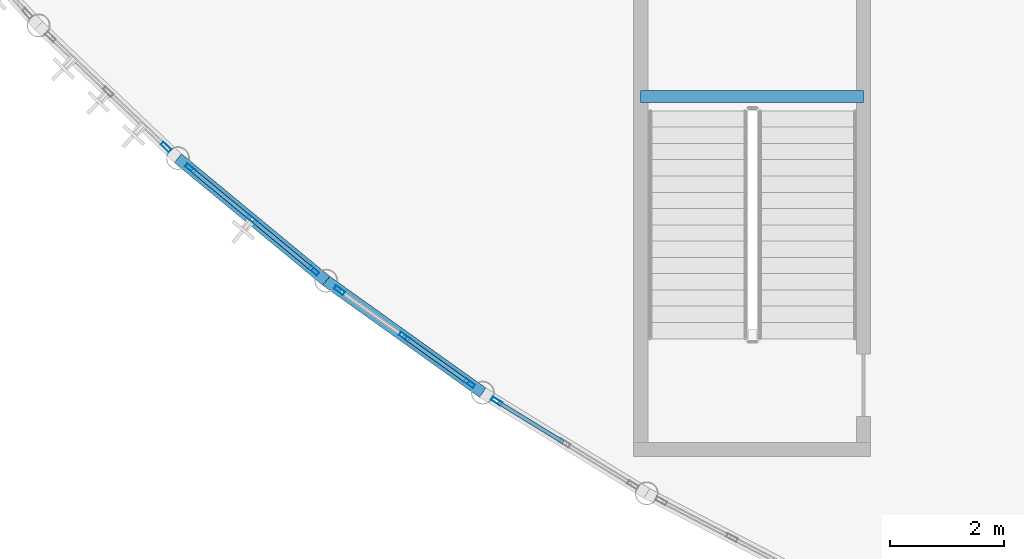
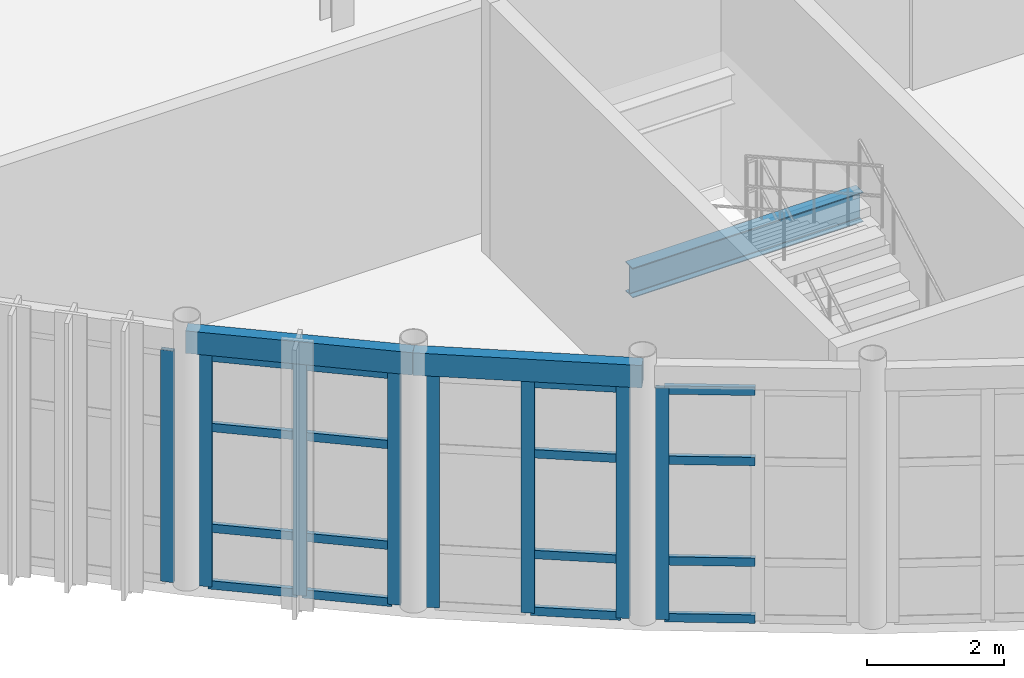
# One storey, part 22 of 116: 24 members, 3 beams, 4 elements without a shape of their own.
"""IFC4 building model written with IfcOpenShell, lengths in metres."""

from ifc_helpers import new_model, si_unit, direction, frame, origin, origin_2d, place, context, subcontext, project, spatial, hollow_rectangle, i_section, extrude, material, layer, layer_set, material_profile, profile_set, type_object, element, aggregate, save


model = new_model("IFC4")

# Units and contexts
model_context = context("Model", 3, precision=1e-05, world=origin(), true_north=direction((0.0, 1.0)))
body_context = subcontext(model_context, "Body", "Model", "MODEL_VIEW")
ifc_project = project(units=[si_unit("LENGTHUNIT", "METRE"), si_unit("AREAUNIT", "SQUARE_METRE"), si_unit("VOLUMEUNIT", "CUBIC_METRE"), si_unit("PLANEANGLEUNIT", "RADIAN"), si_unit("MASSUNIT", "GRAM", prefix="KILO")], contexts=[model_context])

# Site, building, storey
site_placement = place(None, origin())
site = spatial("IfcSite", under=ifc_project, at=site_placement, CompositionType="ELEMENT")
building_placement = place(site_placement, origin())
building = spatial("IfcBuilding", under=site, at=building_placement, Name="Selat Folded Stagehouse", CompositionType="ELEMENT")
storey_placement = place(building_placement, frame((0.0, 0.0, 5.39990234375)))
storey = spatial("IfcBuildingStorey", under=building, at=storey_placement, Name="L01", CompositionType="ELEMENT", Elevation=5.39990234375)

# Beam
ifc_material_1 = material(Name="Steel S355", Category="steel")
ifc_material_profile_1 = material_profile(ifc_material_1, i_section(OverallWidth=0.209228515625, OverallDepth=0.533203125, WebThickness=0.010009765625, FlangeThickness=0.015625, FilletRadius=0.0126953125, at=origin_2d()), Name="UKB 533x210x92")
ifc_profile_set_1 = profile_set([ifc_material_profile_1], Name="Steel S355")
beam_type_1 = type_object("IfcBeamType", Name="BM-GIRD-533x210x92", PredefinedType="BEAM", material=ifc_profile_set_1)
beam_placement = place(storey_placement, frame((24.239990234375, 13.179931640625, 1.93359375), z_axis=(1.0, 0.0, 0.0), x_axis=(0.0, 1.0, 0.0)))
element("IfcBeam", 1, at=beam_placement, inside=storey, type_object=beam_type_1, Name="L01 ST-09 landing support beam 1", PredefinedType="BEAM", context=body_context, shape_type="SweptSolid", body=[
    extrude(i_section(OverallWidth=0.209228515625, OverallDepth=0.533203125, WebThickness=0.010009765625, FlangeThickness=0.015625, FilletRadius=0.0126953125, at=origin_2d()), origin(), (0.0, 0.0, 1.0), 3.89990234375),
])

# Curtain wall, member
ifc_material_2 = material(Name="Aluminium 6063-T6", Category="aluminium")
ifc_layer = layer(ifc_material_2, 0.199951171875)
ifc_layer_set = layer_set([ifc_layer], Name="Aluminium 6063-T6")
curtain_wall_type = type_object("IfcCurtainWallType", Name="CW-DRM-MID", PredefinedType="NOTDEFINED", material=ifc_layer_set)
curtain_wall_1_placement = place(storey_placement, origin())
curtain_wall_1 = element("IfcCurtainWall", 2, at=curtain_wall_1_placement, inside=storey, type_object=curtain_wall_type, Name="L01 curtain wall CW-DRM-L01-13", PredefinedType="NOTDEFINED")
ifc_material_profile_2 = material_profile(ifc_material_2, hollow_rectangle(XDim=0.070068359375, YDim=0.199951171875, WallThickness=0.0048828125, at=origin_2d()), Name="ALU 200x70x5.0")
ifc_profile_set_2 = profile_set([ifc_material_profile_2], Name="Aluminium 6063-T6")
member_type_1 = type_object("IfcMemberType", Name="CWM-MUL-200x70", PredefinedType="MULLION", material=ifc_profile_set_2)
member_1_placement = place(storey_placement, frame((15.9306640625, 12.29736328125, 0.0), z_axis=(0.0, 0.0, 1.0), x_axis=(-0.689661264636, -0.724132128869, 0.0)))
member_1 = element("IfcMember", 3, at=member_1_placement, type_object=member_type_1, Name="CW-02 mullion 1", PredefinedType="MULLION", context=body_context, shape_type="SweptSolid", body=[
    extrude(hollow_rectangle(XDim=0.070068359375, YDim=0.199951171875, WallThickness=0.0048828125, at=origin_2d()), origin(), (0.0, 0.0, 1.0), 4.14013671875),
])
aggregate(curtain_wall_1, [member_1])

# Curtain wall, members
curtain_wall_2_placement = place(storey_placement, origin())
curtain_wall_2 = element("IfcCurtainWall", 4, at=curtain_wall_2_placement, inside=storey, type_object=curtain_wall_type, Name="L01 curtain wall CW-DRM-L01-14", PredefinedType="NOTDEFINED")
member_2_placement = place(storey_placement, frame((18.513916015625, 10.135986328125, 0.0), z_axis=(0.0, 0.0, 1.0), x_axis=(-0.637141737734, -0.770746654899, 0.0)))
member_2 = element("IfcMember", 5, at=member_2_placement, type_object=member_type_1, Name="CW-02 mullion 1", PredefinedType="MULLION", context=body_context, shape_type="SweptSolid", body=[
    extrude(hollow_rectangle(XDim=0.070068359375, YDim=0.199951171875, WallThickness=0.0048828125, at=origin_2d()), origin(), (0.0, 0.0, 1.0), 4.14013671875),
])
member_3_placement = place(storey_placement, frame((17.435302734375, 11.027587890625, 0.0), z_axis=(0.0, 0.0, 1.0), x_axis=(-0.637141737734, -0.770746654899, 0.0)))
member_3 = element("IfcMember", 6, at=member_3_placement, type_object=member_type_1, Name="CW-02 mullion 2", PredefinedType="MULLION", context=body_context, shape_type="SweptSolid", body=[
    extrude(hollow_rectangle(XDim=0.070068359375, YDim=0.199951171875, WallThickness=0.0048828125, at=origin_2d()), origin(), (0.0, 0.0, 1.0), 4.14013671875),
])
member_4_placement = place(storey_placement, frame((16.356689453125, 11.919189453125, 0.0), z_axis=(0.0, 0.0, 1.0), x_axis=(-0.637141737734, -0.770746654899, 0.0)))
member_4 = element("IfcMember", 7, at=member_4_placement, type_object=member_type_1, Name="CW-02 mullion 3", PredefinedType="MULLION", context=body_context, shape_type="SweptSolid", body=[
    extrude(hollow_rectangle(XDim=0.070068359375, YDim=0.199951171875, WallThickness=0.0048828125, at=origin_2d()), origin(), (0.0, 0.0, 1.0), 4.14013671875),
])

curtain_wall_3_placement = place(storey_placement, origin())
curtain_wall_3 = element("IfcCurtainWall", 8, at=curtain_wall_3_placement, inside=storey, type_object=curtain_wall_type, Name="L01 curtain wall CW-DRM-L01-15", PredefinedType="NOTDEFINED")
member_5_placement = place(storey_placement, frame((21.242431640625, 8.160888671875, 0.0), z_axis=(0.0, 0.0, 1.0), x_axis=(-0.581528304836, -0.813526170861, 0.0)))
member_5 = element("IfcMember", 9, at=member_5_placement, type_object=member_type_1, Name="CW-02 mullion 1", PredefinedType="MULLION", context=body_context, shape_type="SweptSolid", body=[
    extrude(hollow_rectangle(XDim=0.070068359375, YDim=0.199951171875, WallThickness=0.0048828125, at=origin_2d()), origin(), (0.0, 0.0, 1.0), 4.14013671875),
])
member_6_placement = place(storey_placement, frame((20.10400390625, 8.974609375, 0.0), z_axis=(0.0, 0.0, 1.0), x_axis=(-0.581528304836, -0.813526170861, 0.0)))
member_6 = element("IfcMember", 10, at=member_6_placement, type_object=member_type_1, Name="CW-02 mullion 2", PredefinedType="MULLION", context=body_context, shape_type="SweptSolid", body=[
    extrude(hollow_rectangle(XDim=0.070068359375, YDim=0.199951171875, WallThickness=0.0048828125, at=origin_2d()), origin(), (0.0, 0.0, 1.0), 4.14013671875),
])
member_7_placement = place(storey_placement, frame((18.965576171875, 9.78857421875, 0.0), z_axis=(0.0, 0.0, 1.0), x_axis=(-0.581528304836, -0.813526170861, 0.0)))
member_7 = element("IfcMember", 11, at=member_7_placement, type_object=member_type_1, Name="CW-02 mullion 3", PredefinedType="MULLION", context=body_context, shape_type="SweptSolid", body=[
    extrude(hollow_rectangle(XDim=0.070068359375, YDim=0.199951171875, WallThickness=0.0048828125, at=origin_2d()), origin(), (0.0, 0.0, 1.0), 4.14013671875),
])

# Curtain wall, member
curtain_wall_4_placement = place(storey_placement, origin())
curtain_wall_4 = element("IfcCurtainWall", 12, at=curtain_wall_4_placement, inside=storey, type_object=curtain_wall_type, Name="L01 curtain wall CW-DRM-L01-16", PredefinedType="NOTDEFINED")
member_8_placement = place(storey_placement, frame((21.71728515625, 7.845947265625, 0.0), z_axis=(0.0, 0.0, 1.0), x_axis=(-0.523025427755, -0.852317078277, 0.0)))
member_8 = element("IfcMember", 13, at=member_8_placement, type_object=member_type_1, Name="CW-02 mullion 3", PredefinedType="MULLION", context=body_context, shape_type="SweptSolid", body=[
    extrude(hollow_rectangle(XDim=0.070068359375, YDim=0.199951171875, WallThickness=0.0048828125, at=origin_2d()), origin(), (0.0, 0.0, 1.0), 4.14013671875),
])

# Member
ifc_material_profile_3 = material_profile(ifc_material_2, hollow_rectangle(XDim=0.070068359375, YDim=0.14990234375, WallThickness=0.00390625, at=origin_2d()), Name="ALU 150x70x4.0")
ifc_profile_set_3 = profile_set([ifc_material_profile_3], Name="Aluminium 6063-T6")
member_type_2 = type_object("IfcMemberType", Name="CWM-TRN-150x70", PredefinedType="USERDEFINED", material=ifc_profile_set_3)
member_9_placement = place(storey_placement, frame((18.487060546875, 10.158203125, 0.03515625), z_axis=(-0.770773574489, 0.637109171862, 0.0), x_axis=(-0.637109171862, -0.770773574489, 0.0)))
member_9 = element("IfcMember", 14, at=member_9_placement, type_object=member_type_2, Name="CW-02 transom 1.1", ObjectType="TRANSOM", PredefinedType="USERDEFINED", context=body_context, shape_type="SweptSolid", body=[
    extrude(hollow_rectangle(XDim=0.070068359375, YDim=0.14990234375, WallThickness=0.00390625, at=origin_2d()), origin(), (0.0, 0.0, 1.0), 1.32958984375),
])

member_10_placement = place(storey_placement, frame((18.487060546875, 10.158203125, 1.050048828125), z_axis=(-0.770773574489, 0.637109171862, 0.0), x_axis=(-0.637109171862, -0.770773574489, 0.0)))
member_10 = element("IfcMember", 15, at=member_10_placement, type_object=member_type_2, Name="CW-02 transom 1.2", ObjectType="TRANSOM", PredefinedType="USERDEFINED", context=body_context, shape_type="SweptSolid", body=[
    extrude(hollow_rectangle(XDim=0.070068359375, YDim=0.14990234375, WallThickness=0.00390625, at=origin_2d()), origin(), (0.0, 0.0, 1.0), 1.32958984375),
])

member_11_placement = place(storey_placement, frame((18.487060546875, 10.158203125, 2.85009765625), z_axis=(-0.770773574489, 0.637109171862, 0.0), x_axis=(-0.637109171862, -0.770773574489, 0.0)))
member_11 = element("IfcMember", 16, at=member_11_placement, type_object=member_type_2, Name="CW-02 transom 1.3", ObjectType="TRANSOM", PredefinedType="USERDEFINED", context=body_context, shape_type="SweptSolid", body=[
    extrude(hollow_rectangle(XDim=0.070068359375, YDim=0.14990234375, WallThickness=0.00390625, at=origin_2d()), origin(), (0.0, 0.0, 1.0), 1.32958984375),
])

member_12_placement = place(storey_placement, frame((18.487060546875, 10.158203125, 4.10498046875), z_axis=(-0.770773574489, 0.637109171862, 0.0), x_axis=(-0.637109171862, -0.770773574489, 0.0)))
member_12 = element("IfcMember", 17, at=member_12_placement, type_object=member_type_2, Name="CW-02 transom 1.4", ObjectType="TRANSOM", PredefinedType="USERDEFINED", context=body_context, shape_type="SweptSolid", body=[
    extrude(hollow_rectangle(XDim=0.070068359375, YDim=0.14990234375, WallThickness=0.00390625, at=origin_2d()), origin(), (0.0, 0.0, 1.0), 1.32958984375),
])

member_13_placement = place(storey_placement, frame((17.408203125, 11.0498046875, 0.03515625), z_axis=(-0.77069903193, 0.637199342578, 0.0), x_axis=(-0.637199342578, -0.77069903193, 0.0)))
member_13 = element("IfcMember", 18, at=member_13_placement, type_object=member_type_2, Name="CW-02 transom 2.1", ObjectType="TRANSOM", PredefinedType="USERDEFINED", context=body_context, shape_type="SweptSolid", body=[
    extrude(hollow_rectangle(XDim=0.070068359375, YDim=0.14990234375, WallThickness=0.00390625, at=origin_2d()), origin(), (0.0, 0.0, 1.0), 1.32958984375),
])

member_14_placement = place(storey_placement, frame((17.408203125, 11.0498046875, 1.050048828125), z_axis=(-0.77069903193, 0.637199342578, 0.0), x_axis=(-0.637199342578, -0.77069903193, 0.0)))
member_14 = element("IfcMember", 19, at=member_14_placement, type_object=member_type_2, Name="CW-02 transom 2.2", ObjectType="TRANSOM", PredefinedType="USERDEFINED", context=body_context, shape_type="SweptSolid", body=[
    extrude(hollow_rectangle(XDim=0.070068359375, YDim=0.14990234375, WallThickness=0.00390625, at=origin_2d()), origin(), (0.0, 0.0, 1.0), 1.32958984375),
])

member_15_placement = place(storey_placement, frame((17.408203125, 11.0498046875, 2.85009765625), z_axis=(-0.77069903193, 0.637199342578, 0.0), x_axis=(-0.637199342578, -0.77069903193, 0.0)))
member_15 = element("IfcMember", 20, at=member_15_placement, type_object=member_type_2, Name="CW-02 transom 2.3", ObjectType="TRANSOM", PredefinedType="USERDEFINED", context=body_context, shape_type="SweptSolid", body=[
    extrude(hollow_rectangle(XDim=0.070068359375, YDim=0.14990234375, WallThickness=0.00390625, at=origin_2d()), origin(), (0.0, 0.0, 1.0), 1.32958984375),
])

member_16_placement = place(storey_placement, frame((17.408203125, 11.0498046875, 4.10498046875), z_axis=(-0.77069903193, 0.637199342578, 0.0), x_axis=(-0.637199342578, -0.77069903193, 0.0)))
member_16 = element("IfcMember", 21, at=member_16_placement, type_object=member_type_2, Name="CW-02 transom 2.4", ObjectType="TRANSOM", PredefinedType="USERDEFINED", context=body_context, shape_type="SweptSolid", body=[
    extrude(hollow_rectangle(XDim=0.070068359375, YDim=0.14990234375, WallThickness=0.00390625, at=origin_2d()), origin(), (0.0, 0.0, 1.0), 1.32958984375),
])

aggregate(curtain_wall_2, [member_2, member_3, member_4, member_9, member_10, member_11, member_12, member_13, member_14, member_15, member_16])

member_17_placement = place(storey_placement, frame((21.214111328125, 8.18115234375, 0.03515625), z_axis=(-0.813497658202, 0.581568190412, 0.0), x_axis=(-0.581568190412, -0.813497658202, 0.0)))
member_17 = element("IfcMember", 22, at=member_17_placement, type_object=member_type_2, Name="CW-02 transom 1.1", ObjectType="TRANSOM", PredefinedType="USERDEFINED", context=body_context, shape_type="SweptSolid", body=[
    extrude(hollow_rectangle(XDim=0.070068359375, YDim=0.14990234375, WallThickness=0.00390625, at=origin_2d()), origin(), (0.0, 0.0, 1.0), 1.32958984375),
])

member_18_placement = place(storey_placement, frame((21.214111328125, 8.18115234375, 1.050048828125), z_axis=(-0.813497658202, 0.581568190412, 0.0), x_axis=(-0.581568190412, -0.813497658202, 0.0)))
member_18 = element("IfcMember", 23, at=member_18_placement, type_object=member_type_2, Name="CW-02 transom 1.2", ObjectType="TRANSOM", PredefinedType="USERDEFINED", context=body_context, shape_type="SweptSolid", body=[
    extrude(hollow_rectangle(XDim=0.070068359375, YDim=0.14990234375, WallThickness=0.00390625, at=origin_2d()), origin(), (0.0, 0.0, 1.0), 1.32958984375),
])

member_19_placement = place(storey_placement, frame((21.214111328125, 8.18115234375, 2.85009765625), z_axis=(-0.813497658202, 0.581568190412, 0.0), x_axis=(-0.581568190412, -0.813497658202, 0.0)))
member_19 = element("IfcMember", 24, at=member_19_placement, type_object=member_type_2, Name="CW-02 transom 1.3", ObjectType="TRANSOM", PredefinedType="USERDEFINED", context=body_context, shape_type="SweptSolid", body=[
    extrude(hollow_rectangle(XDim=0.070068359375, YDim=0.14990234375, WallThickness=0.00390625, at=origin_2d()), origin(), (0.0, 0.0, 1.0), 1.32958984375),
])

member_20_placement = place(storey_placement, frame((21.214111328125, 8.18115234375, 4.10498046875), z_axis=(-0.813497658202, 0.581568190412, 0.0), x_axis=(-0.581568190412, -0.813497658202, 0.0)))
member_20 = element("IfcMember", 25, at=member_20_placement, type_object=member_type_2, Name="CW-02 transom 1.4", ObjectType="TRANSOM", PredefinedType="USERDEFINED", context=body_context, shape_type="SweptSolid", body=[
    extrude(hollow_rectangle(XDim=0.070068359375, YDim=0.14990234375, WallThickness=0.00390625, at=origin_2d()), origin(), (0.0, 0.0, 1.0), 1.32958984375),
])

aggregate(curtain_wall_3, [member_5, member_6, member_7, member_17, member_18, member_19, member_20])

member_21_placement = place(storey_placement, frame((22.88037109375, 7.13232421875, 0.03515625), z_axis=(-0.852363652955, 0.522949522537, 0.0), x_axis=(-0.522949522537, -0.852363652955, 0.0)))
member_21 = element("IfcMember", 26, at=member_21_placement, type_object=member_type_2, Name="CW-02 transom 2.1", ObjectType="TRANSOM", PredefinedType="USERDEFINED", context=body_context, shape_type="SweptSolid", body=[
    extrude(hollow_rectangle(XDim=0.070068359375, YDim=0.14990234375, WallThickness=0.00390625, at=origin_2d()), origin(), (0.0, 0.0, 1.0), 1.32958984375),
])

member_22_placement = place(storey_placement, frame((22.88037109375, 7.13232421875, 1.050048828125), z_axis=(-0.852363652955, 0.522949522537, 0.0), x_axis=(-0.522949522537, -0.852363652955, 0.0)))
member_22 = element("IfcMember", 27, at=member_22_placement, type_object=member_type_2, Name="CW-02 transom 2.2", ObjectType="TRANSOM", PredefinedType="USERDEFINED", context=body_context, shape_type="SweptSolid", body=[
    extrude(hollow_rectangle(XDim=0.070068359375, YDim=0.14990234375, WallThickness=0.00390625, at=origin_2d()), origin(), (0.0, 0.0, 1.0), 1.32958984375),
])

member_23_placement = place(storey_placement, frame((22.88037109375, 7.13232421875, 2.85009765625), z_axis=(-0.852363652955, 0.522949522537, 0.0), x_axis=(-0.522949522537, -0.852363652955, 0.0)))
member_23 = element("IfcMember", 28, at=member_23_placement, type_object=member_type_2, Name="CW-02 transom 2.3", ObjectType="TRANSOM", PredefinedType="USERDEFINED", context=body_context, shape_type="SweptSolid", body=[
    extrude(hollow_rectangle(XDim=0.070068359375, YDim=0.14990234375, WallThickness=0.00390625, at=origin_2d()), origin(), (0.0, 0.0, 1.0), 1.32958984375),
])

member_24_placement = place(storey_placement, frame((22.88037109375, 7.13232421875, 4.10498046875), z_axis=(-0.852363652955, 0.522949522537, 0.0), x_axis=(-0.522949522537, -0.852363652955, 0.0)))
member_24 = element("IfcMember", 29, at=member_24_placement, type_object=member_type_2, Name="CW-02 transom 2.4", ObjectType="TRANSOM", PredefinedType="USERDEFINED", context=body_context, shape_type="SweptSolid", body=[
    extrude(hollow_rectangle(XDim=0.070068359375, YDim=0.14990234375, WallThickness=0.00390625, at=origin_2d()), origin(), (0.0, 0.0, 1.0), 1.32958984375),
])

aggregate(curtain_wall_4, [member_8, member_21, member_22, member_23, member_24])

# Beams
ifc_material_profile_4 = material_profile(ifc_material_1, hollow_rectangle(XDim=0.199951171875, YDim=0.39990234375, WallThickness=0.012451171875, at=origin_2d()), Name="RHS 400x200x12.5")
ifc_profile_set_4 = profile_set([ifc_material_profile_4], Name="Steel S355")
beam_type_2 = type_object("IfcBeamType", Name="SPD-EXT-400x200", PredefinedType="SPANDREL", material=ifc_profile_set_4)
for number, where, z_axis, x_axis, name in (
    (30, (16.136962890625, 12.100830078125, 4.380126953125), (0.770757502018, -0.637128615809, 0.0), (0.637128615809, 0.770757502018, 0.0), "L01 curved drum spandrel beam 15"),
    (31, (18.733642578125, 9.954345703125, 4.380126953125), (0.813513074284, -0.581546625791, 0.0), (0.581546625791, 0.813513074284, 0.0), "L01 curved drum spandrel beam 16"),
):
    element("IfcBeam", number, at=place(storey_placement, frame(where, z_axis=z_axis, x_axis=x_axis)), inside=storey, type_object=beam_type_2, Name=name, PredefinedType="SPANDREL", context=body_context, shape_type="SweptSolid", body=[
        extrude(hollow_rectangle(XDim=0.199951171875, YDim=0.39990234375, WallThickness=0.012451171875, at=origin_2d()), origin(), (0.0, 0.0, 1.0), 3.368896484375),
    ])

save(model, "model.ifc")
